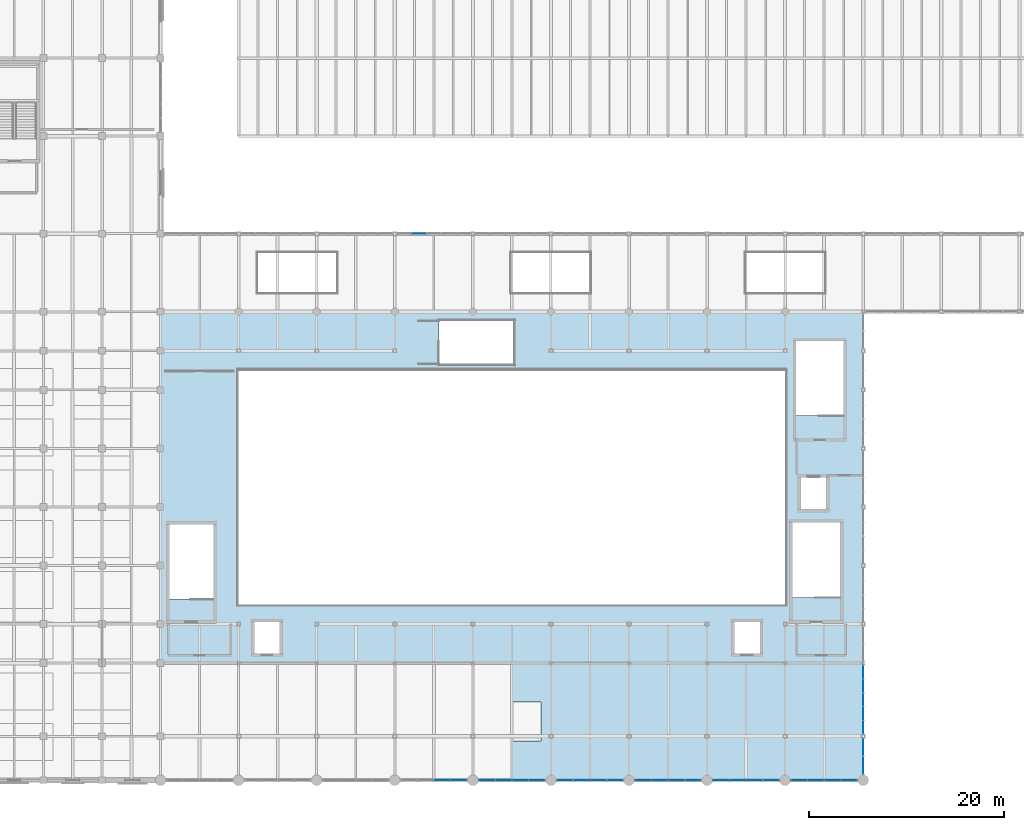
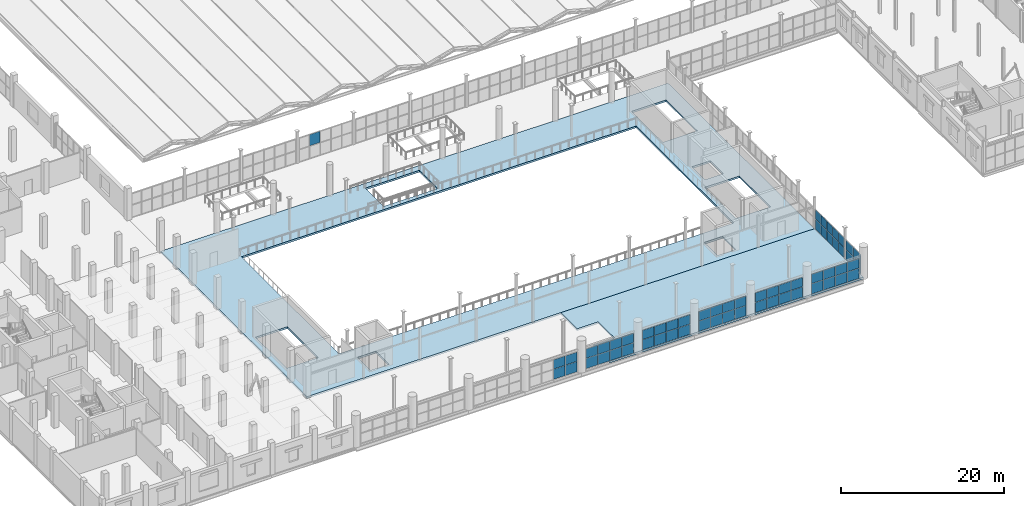
# One storey, part 83 of 114: 59 plates, 2 slabs, 9 elements without a shape of their own.
"""IFC4 building model written with IfcOpenShell, lengths in metres."""

from ifc_helpers import new_model, si_unit, direction, frame, origin, origin_2d, place, context, subcontext, project, spatial, polyline, rectangle, outline, extrude, material, layer, layer_set, type_object, element, aggregate, save


model = new_model("IFC4")

# Units and contexts
model_context = context("Model", 3, precision=1e-05, world=origin(), true_north=direction((0.0, 1.0)))
body_context = subcontext(model_context, "Body", "Model", "MODEL_VIEW")
ifc_project = project(units=[si_unit("LENGTHUNIT", "METRE"), si_unit("AREAUNIT", "SQUARE_METRE"), si_unit("VOLUMEUNIT", "CUBIC_METRE"), si_unit("PLANEANGLEUNIT", "RADIAN"), si_unit("MASSUNIT", "GRAM", prefix="KILO")], contexts=[model_context])

# Site, building, storey
site_placement = place(None, origin())
site = spatial("IfcSite", under=ifc_project, at=site_placement, CompositionType="ELEMENT")
building_placement = place(site_placement, origin())
building = spatial("IfcBuilding", under=site, at=building_placement, Name="Verrall Gate Interchange", CompositionType="ELEMENT")
storey_placement = place(building_placement, frame((0.0, 0.0, 6.60009765625)))
storey = spatial("IfcBuildingStorey", under=building, at=storey_placement, Name="L02", CompositionType="ELEMENT", Elevation=6.60009765625)

# Curtain wall, plates
ifc_material_1 = material(Name="Thermally Broken Anodized Aluminium Curtain Wall Framing", Category="aluminium")
curtain_wall_type_1 = type_object("IfcCurtainWallType", Name="CW-14 Unitized Curtain Wall 6836x3070", PredefinedType="NOTDEFINED", material=ifc_material_1)
curtain_wall_1_placement = place(storey_placement, origin())
curtain_wall_1 = element("IfcCurtainWall", 1, at=curtain_wall_1_placement, inside=storey, type_object=curtain_wall_type_1, Name="L02 Unitized Curtain Wall CW-L02-056", PredefinedType="NOTDEFINED")
ifc_material_2 = material(Name="Triple-Glazed Low-E Argon Insulated Curtain Panel (U=1.45)", Category="glass")
ifc_layer_1 = layer(ifc_material_2, 0.030029296875)
ifc_layer_set_1 = layer_set([ifc_layer_1], Name="Triple-Glazed Low-E Argon Insulated Curtain Panel (U=1.45)")
plate_type_1 = type_object("IfcPlateType", Name="CP-01 Curtain Glazing Panel 30", PredefinedType="CURTAIN_PANEL", material=ifc_layer_set_1)
plate_1_placement = place(storey_placement, frame((69.45263671875, 0.0, 0.0546875), z_axis=(0.0, 0.0, 1.0), x_axis=(1.0, 0.0, 0.0)))
plate_1 = element("IfcPlate", 2, at=plate_1_placement, type_object=plate_type_1, Name="CW-L02-056 Glazing Panel 1.1", PredefinedType="CURTAIN_PANEL", context=body_context, shape_type="SweptSolid", body=[
    extrude(rectangle(XDim=1.63232421875, YDim=0.030029296875, at=origin_2d()), origin(), (0.0, 0.0, 1.0), 1.519775390625),
])
plate_2_placement = place(storey_placement, frame((69.45263671875, 0.0, 1.618408203125), z_axis=(0.0, 0.0, 1.0), x_axis=(1.0, 0.0, 0.0)))
plate_2 = element("IfcPlate", 3, at=plate_2_placement, type_object=plate_type_1, Name="CW-L02-056 Glazing Panel 1.2", PredefinedType="CURTAIN_PANEL", context=body_context, shape_type="SweptSolid", body=[
    extrude(rectangle(XDim=1.63232421875, YDim=0.030029296875, at=origin_2d()), origin(), (0.0, 0.0, 1.0), 1.39697265625),
])
plate_3_placement = place(storey_placement, frame((71.1455078125, 0.0, 0.0546875), z_axis=(0.0, 0.0, 1.0), x_axis=(1.0, 0.0, 0.0)))
plate_3 = element("IfcPlate", 4, at=plate_3_placement, type_object=plate_type_1, Name="CW-L02-056 Glazing Panel 2.1", PredefinedType="CURTAIN_PANEL", context=body_context, shape_type="SweptSolid", body=[
    extrude(rectangle(XDim=1.664794921875, YDim=0.030029296875, at=origin_2d()), origin(), (0.0, 0.0, 1.0), 1.519775390625),
])
plate_4_placement = place(storey_placement, frame((71.1455078125, 0.0, 1.618408203125), z_axis=(0.0, 0.0, 1.0), x_axis=(1.0, 0.0, 0.0)))
plate_4 = element("IfcPlate", 5, at=plate_4_placement, type_object=plate_type_1, Name="CW-L02-056 Glazing Panel 2.2", PredefinedType="CURTAIN_PANEL", context=body_context, shape_type="SweptSolid", body=[
    extrude(rectangle(XDim=1.664794921875, YDim=0.030029296875, at=origin_2d()), origin(), (0.0, 0.0, 1.0), 1.39697265625),
])
plate_5_placement = place(storey_placement, frame((72.8544921875, 0.0, 0.0546875), z_axis=(0.0, 0.0, 1.0), x_axis=(1.0, 0.0, 0.0)))
plate_5 = element("IfcPlate", 6, at=plate_5_placement, type_object=plate_type_1, Name="CW-L02-056 Glazing Panel 3.1", PredefinedType="CURTAIN_PANEL", context=body_context, shape_type="SweptSolid", body=[
    extrude(rectangle(XDim=1.664794921875, YDim=0.030029296875, at=origin_2d()), origin(), (0.0, 0.0, 1.0), 1.519775390625),
])
plate_6_placement = place(storey_placement, frame((72.8544921875, 0.0, 1.618408203125), z_axis=(0.0, 0.0, 1.0), x_axis=(1.0, 0.0, 0.0)))
plate_6 = element("IfcPlate", 7, at=plate_6_placement, type_object=plate_type_1, Name="CW-L02-056 Glazing Panel 3.2", PredefinedType="CURTAIN_PANEL", context=body_context, shape_type="SweptSolid", body=[
    extrude(rectangle(XDim=1.664794921875, YDim=0.030029296875, at=origin_2d()), origin(), (0.0, 0.0, 1.0), 1.39697265625),
])
plate_7_placement = place(storey_placement, frame((74.547119140625, 0.0, 0.0546875), z_axis=(0.0, 0.0, 1.0), x_axis=(1.0, 0.0, 0.0)))
plate_7 = element("IfcPlate", 8, at=plate_7_placement, type_object=plate_type_1, Name="CW-L02-056 Glazing Panel 4.1", PredefinedType="CURTAIN_PANEL", context=body_context, shape_type="SweptSolid", body=[
    extrude(rectangle(XDim=1.63232421875, YDim=0.030029296875, at=origin_2d()), origin(), (0.0, 0.0, 1.0), 1.519775390625),
])
plate_8_placement = place(storey_placement, frame((74.547119140625, 0.0, 1.618408203125), z_axis=(0.0, 0.0, 1.0), x_axis=(1.0, 0.0, 0.0)))
plate_8 = element("IfcPlate", 9, at=plate_8_placement, type_object=plate_type_1, Name="CW-L02-056 Glazing Panel 4.2", PredefinedType="CURTAIN_PANEL", context=body_context, shape_type="SweptSolid", body=[
    extrude(rectangle(XDim=1.63232421875, YDim=0.030029296875, at=origin_2d()), origin(), (0.0, 0.0, 1.0), 1.39697265625),
])
aggregate(curtain_wall_1, [plate_1, plate_2, plate_3, plate_4, plate_5, plate_6, plate_7, plate_8])

curtain_wall_2_placement = place(storey_placement, origin())
curtain_wall_2 = element("IfcCurtainWall", 10, at=curtain_wall_2_placement, inside=storey, type_object=curtain_wall_type_1, Name="L02 Unitized Curtain Wall CW-L02-057", PredefinedType="NOTDEFINED")
plate_9_placement = place(storey_placement, frame((77.455078125, 0.0, 0.06298828125), z_axis=(0.0, 0.0, 1.0), x_axis=(1.0, 0.0, 0.0)))
plate_9 = element("IfcPlate", 11, at=plate_9_placement, type_object=plate_type_1, Name="CW-L02-057 Glazing Panel 1.1", PredefinedType="CURTAIN_PANEL", context=body_context, shape_type="SweptSolid", body=[
    extrude(rectangle(XDim=1.62060546875, YDim=0.030029296875, at=origin_2d()), origin(), (0.0, 0.0, 1.0), 1.5078125),
])
plate_10_placement = place(storey_placement, frame((77.455078125, 0.0, 1.6220703125), z_axis=(0.0, 0.0, 1.0), x_axis=(1.0, 0.0, 0.0)))
plate_10 = element("IfcPlate", 12, at=plate_10_placement, type_object=plate_type_1, Name="CW-L02-057 Glazing Panel 1.2", PredefinedType="CURTAIN_PANEL", context=body_context, shape_type="SweptSolid", body=[
    extrude(rectangle(XDim=1.62060546875, YDim=0.030029296875, at=origin_2d()), origin(), (0.0, 0.0, 1.0), 1.385009765625),
])
plate_11_placement = place(storey_placement, frame((79.1455078125, 0.0, 0.06298828125), z_axis=(0.0, 0.0, 1.0), x_axis=(1.0, 0.0, 0.0)))
plate_11 = element("IfcPlate", 13, at=plate_11_placement, type_object=plate_type_1, Name="CW-L02-057 Glazing Panel 2.1", PredefinedType="CURTAIN_PANEL", context=body_context, shape_type="SweptSolid", body=[
    extrude(rectangle(XDim=1.657958984375, YDim=0.030029296875, at=origin_2d()), origin(), (0.0, 0.0, 1.0), 1.5078125),
])
plate_12_placement = place(storey_placement, frame((79.1455078125, 0.0, 1.6220703125), z_axis=(0.0, 0.0, 1.0), x_axis=(1.0, 0.0, 0.0)))
plate_12 = element("IfcPlate", 14, at=plate_12_placement, type_object=plate_type_1, Name="CW-L02-057 Glazing Panel 2.2", PredefinedType="CURTAIN_PANEL", context=body_context, shape_type="SweptSolid", body=[
    extrude(rectangle(XDim=1.657958984375, YDim=0.030029296875, at=origin_2d()), origin(), (0.0, 0.0, 1.0), 1.385009765625),
])
plate_13_placement = place(storey_placement, frame((80.8544921875, 0.0, 0.06298828125), z_axis=(0.0, 0.0, 1.0), x_axis=(1.0, 0.0, 0.0)))
plate_13 = element("IfcPlate", 15, at=plate_13_placement, type_object=plate_type_1, Name="CW-L02-057 Glazing Panel 3.1", PredefinedType="CURTAIN_PANEL", context=body_context, shape_type="SweptSolid", body=[
    extrude(rectangle(XDim=1.657958984375, YDim=0.030029296875, at=origin_2d()), origin(), (0.0, 0.0, 1.0), 1.5078125),
])
plate_14_placement = place(storey_placement, frame((80.8544921875, 0.0, 1.6220703125), z_axis=(0.0, 0.0, 1.0), x_axis=(1.0, 0.0, 0.0)))
plate_14 = element("IfcPlate", 16, at=plate_14_placement, type_object=plate_type_1, Name="CW-L02-057 Glazing Panel 3.2", PredefinedType="CURTAIN_PANEL", context=body_context, shape_type="SweptSolid", body=[
    extrude(rectangle(XDim=1.657958984375, YDim=0.030029296875, at=origin_2d()), origin(), (0.0, 0.0, 1.0), 1.385009765625),
])
plate_15_placement = place(storey_placement, frame((82.544677734375, 0.0, 0.06298828125), z_axis=(0.0, 0.0, 1.0), x_axis=(1.0, 0.0, 0.0)))
plate_15 = element("IfcPlate", 17, at=plate_15_placement, type_object=plate_type_1, Name="CW-L02-057 Glazing Panel 4.1", PredefinedType="CURTAIN_PANEL", context=body_context, shape_type="SweptSolid", body=[
    extrude(rectangle(XDim=1.62060546875, YDim=0.030029296875, at=origin_2d()), origin(), (0.0, 0.0, 1.0), 1.5078125),
])
plate_16_placement = place(storey_placement, frame((82.544677734375, 0.0, 1.6220703125), z_axis=(0.0, 0.0, 1.0), x_axis=(1.0, 0.0, 0.0)))
plate_16 = element("IfcPlate", 18, at=plate_16_placement, type_object=plate_type_1, Name="CW-L02-057 Glazing Panel 4.2", PredefinedType="CURTAIN_PANEL", context=body_context, shape_type="SweptSolid", body=[
    extrude(rectangle(XDim=1.62060546875, YDim=0.030029296875, at=origin_2d()), origin(), (0.0, 0.0, 1.0), 1.385009765625),
])
aggregate(curtain_wall_2, [plate_9, plate_10, plate_11, plate_12, plate_13, plate_14, plate_15, plate_16])

curtain_wall_3_placement = place(storey_placement, origin())
curtain_wall_3 = element("IfcCurtainWall", 19, at=curtain_wall_3_placement, inside=storey, type_object=curtain_wall_type_1, Name="L02 Unitized Curtain Wall CW-L02-060", PredefinedType="NOTDEFINED")
plate_17_placement = place(storey_placement, frame((101.45263671875, 0.0, 0.0546875), z_axis=(0.0, 0.0, 1.0), x_axis=(1.0, 0.0, 0.0)))
plate_17 = element("IfcPlate", 20, at=plate_17_placement, type_object=plate_type_1, Name="CW-L02-060 Glazing Panel 1.1", PredefinedType="CURTAIN_PANEL", context=body_context, shape_type="SweptSolid", body=[
    extrude(rectangle(XDim=1.63232421875, YDim=0.030029296875, at=origin_2d()), origin(), (0.0, 0.0, 1.0), 1.519775390625),
])
plate_18_placement = place(storey_placement, frame((101.45263671875, 0.0, 1.618408203125), z_axis=(0.0, 0.0, 1.0), x_axis=(1.0, 0.0, 0.0)))
plate_18 = element("IfcPlate", 21, at=plate_18_placement, type_object=plate_type_1, Name="CW-L02-060 Glazing Panel 1.2", PredefinedType="CURTAIN_PANEL", context=body_context, shape_type="SweptSolid", body=[
    extrude(rectangle(XDim=1.63232421875, YDim=0.030029296875, at=origin_2d()), origin(), (0.0, 0.0, 1.0), 1.39697265625),
])
plate_19_placement = place(storey_placement, frame((103.1455078125, 0.0, 0.0546875), z_axis=(0.0, 0.0, 1.0), x_axis=(1.0, 0.0, 0.0)))
plate_19 = element("IfcPlate", 22, at=plate_19_placement, type_object=plate_type_1, Name="CW-L02-060 Glazing Panel 2.1", PredefinedType="CURTAIN_PANEL", context=body_context, shape_type="SweptSolid", body=[
    extrude(rectangle(XDim=1.664794921875, YDim=0.030029296875, at=origin_2d()), origin(), (0.0, 0.0, 1.0), 1.519775390625),
])
plate_20_placement = place(storey_placement, frame((103.1455078125, 0.0, 1.618408203125), z_axis=(0.0, 0.0, 1.0), x_axis=(1.0, 0.0, 0.0)))
plate_20 = element("IfcPlate", 23, at=plate_20_placement, type_object=plate_type_1, Name="CW-L02-060 Glazing Panel 2.2", PredefinedType="CURTAIN_PANEL", context=body_context, shape_type="SweptSolid", body=[
    extrude(rectangle(XDim=1.664794921875, YDim=0.030029296875, at=origin_2d()), origin(), (0.0, 0.0, 1.0), 1.39697265625),
])
plate_21_placement = place(storey_placement, frame((104.8544921875, 0.0, 0.0546875), z_axis=(0.0, 0.0, 1.0), x_axis=(1.0, 0.0, 0.0)))
plate_21 = element("IfcPlate", 24, at=plate_21_placement, type_object=plate_type_1, Name="CW-L02-060 Glazing Panel 3.1", PredefinedType="CURTAIN_PANEL", context=body_context, shape_type="SweptSolid", body=[
    extrude(rectangle(XDim=1.664794921875, YDim=0.030029296875, at=origin_2d()), origin(), (0.0, 0.0, 1.0), 1.519775390625),
])
plate_22_placement = place(storey_placement, frame((104.8544921875, 0.0, 1.618408203125), z_axis=(0.0, 0.0, 1.0), x_axis=(1.0, 0.0, 0.0)))
plate_22 = element("IfcPlate", 25, at=plate_22_placement, type_object=plate_type_1, Name="CW-L02-060 Glazing Panel 3.2", PredefinedType="CURTAIN_PANEL", context=body_context, shape_type="SweptSolid", body=[
    extrude(rectangle(XDim=1.664794921875, YDim=0.030029296875, at=origin_2d()), origin(), (0.0, 0.0, 1.0), 1.39697265625),
])
plate_23_placement = place(storey_placement, frame((106.547119140625, 0.0, 0.0546875), z_axis=(0.0, 0.0, 1.0), x_axis=(1.0, 0.0, 0.0)))
plate_23 = element("IfcPlate", 26, at=plate_23_placement, type_object=plate_type_1, Name="CW-L02-060 Glazing Panel 4.1", PredefinedType="CURTAIN_PANEL", context=body_context, shape_type="SweptSolid", body=[
    extrude(rectangle(XDim=1.63232421875, YDim=0.030029296875, at=origin_2d()), origin(), (0.0, 0.0, 1.0), 1.519775390625),
])
plate_24_placement = place(storey_placement, frame((106.547119140625, 0.0, 1.618408203125), z_axis=(0.0, 0.0, 1.0), x_axis=(1.0, 0.0, 0.0)))
plate_24 = element("IfcPlate", 27, at=plate_24_placement, type_object=plate_type_1, Name="CW-L02-060 Glazing Panel 4.2", PredefinedType="CURTAIN_PANEL", context=body_context, shape_type="SweptSolid", body=[
    extrude(rectangle(XDim=1.63232421875, YDim=0.030029296875, at=origin_2d()), origin(), (0.0, 0.0, 1.0), 1.39697265625),
])
aggregate(curtain_wall_3, [plate_17, plate_18, plate_19, plate_20, plate_21, plate_22, plate_23, plate_24])

ifc_material_3 = material(Name="Thermally Broken Anodized Aluminium Curtain Wall Framing", Category="aluminium")
curtain_wall_type_2 = type_object("IfcCurtainWallType", Name="CW-15 Unitized Curtain Wall 3734x3070", PredefinedType="NOTDEFINED", material=ifc_material_3)
curtain_wall_4_placement = place(storey_placement, origin())
curtain_wall_4 = element("IfcCurtainWall", 28, at=curtain_wall_4_placement, inside=storey, type_object=curtain_wall_type_2, Name="L02 Unitized Curtain Wall CW-L02-061", PredefinedType="NOTDEFINED")
plate_25_placement = place(storey_placement, frame((108.0, 1.5341796875, 0.06298828125), z_axis=(0.0, 0.0, 1.0), x_axis=(0.0, 1.0, 0.0)))
plate_25 = element("IfcPlate", 29, at=plate_25_placement, type_object=plate_type_1, Name="CW-L02-061 Glazing Panel 1.1", PredefinedType="CURTAIN_PANEL", context=body_context, shape_type="SweptSolid", body=[
    extrude(rectangle(XDim=1.7783203125, YDim=0.030029296875, at=origin_2d()), origin(), (0.0, 0.0, 1.0), 1.5078125),
])
plate_26_placement = place(storey_placement, frame((108.0, 1.5341796875, 1.6220703125), z_axis=(0.0, 0.0, 1.0), x_axis=(0.0, 1.0, 0.0)))
plate_26 = element("IfcPlate", 30, at=plate_26_placement, type_object=plate_type_1, Name="CW-L02-061 Glazing Panel 1.2", PredefinedType="CURTAIN_PANEL", context=body_context, shape_type="SweptSolid", body=[
    extrude(rectangle(XDim=1.7783203125, YDim=0.030029296875, at=origin_2d()), origin(), (0.0, 0.0, 1.0), 1.385009765625),
])
plate_27_placement = place(storey_placement, frame((108.0, 3.36328125, 0.06298828125), z_axis=(0.0, 0.0, 1.0), x_axis=(0.0, 1.0, 0.0)))
plate_27 = element("IfcPlate", 31, at=plate_27_placement, type_object=plate_type_1, Name="CW-L02-061 Glazing Panel 2.1", PredefinedType="CURTAIN_PANEL", context=body_context, shape_type="SweptSolid", body=[
    extrude(rectangle(XDim=1.7783203125, YDim=0.030029296875, at=origin_2d()), origin(), (0.0, 0.0, 1.0), 1.5078125),
])
plate_28_placement = place(storey_placement, frame((108.0, 3.36328125, 1.6220703125), z_axis=(0.0, 0.0, 1.0), x_axis=(0.0, 1.0, 0.0)))
plate_28 = element("IfcPlate", 32, at=plate_28_placement, type_object=plate_type_1, Name="CW-L02-061 Glazing Panel 2.2", PredefinedType="CURTAIN_PANEL", context=body_context, shape_type="SweptSolid", body=[
    extrude(rectangle(XDim=1.7783203125, YDim=0.030029296875, at=origin_2d()), origin(), (0.0, 0.0, 1.0), 1.385009765625),
])
aggregate(curtain_wall_4, [plate_25, plate_26, plate_27, plate_28])

# Curtain wall, plate
ifc_material_4 = material(Name="Thermally Broken Anodized Aluminium Curtain Wall Framing", Category="aluminium")
curtain_wall_type_3 = type_object("IfcCurtainWallType", Name="CW-21 Unitized Curtain Wall 7631x3680", PredefinedType="NOTDEFINED", material=ifc_material_4)
curtain_wall_5_placement = place(storey_placement, origin())
curtain_wall_5 = element("IfcCurtainWall", 33, at=curtain_wall_5_placement, inside=storey, type_object=curtain_wall_type_3, Name="L02 Unitized Curtain Wall CW-L02-081", PredefinedType="NOTDEFINED")
plate_29_placement = place(storey_placement, frame((62.473876953125, 56.0, 1.93896484375), z_axis=(0.0, 0.0, 1.0), x_axis=(-1.0, 0.0, 0.0)))
plate_29 = element("IfcPlate", 34, at=plate_29_placement, type_object=plate_type_1, Name="CW-L02-081 Glazing Panel 4.2", PredefinedType="CURTAIN_PANEL", context=body_context, shape_type="SweptSolid", body=[
    extrude(rectangle(XDim=1.47509765625, YDim=0.030029296875, at=origin_2d()), origin(), (0.0, 0.0, 1.0), 1.677978515625),
])
aggregate(curtain_wall_5, [plate_29])

# Curtain wall, plates
curtain_wall_6_placement = place(storey_placement, origin())
curtain_wall_6 = element("IfcCurtainWall", 35, at=curtain_wall_6_placement, inside=storey, type_object=curtain_wall_type_1, Name="L02 Unitized Curtain Wall CW-L02-055", PredefinedType="NOTDEFINED")
ifc_material_5 = material(Name="Triple-Glazed Low-E Argon Insulated Curtain Panel (U=1.45)", Category="glass")
ifc_layer_2 = layer(ifc_material_5, 0.0400390625)
ifc_layer_set_2 = layer_set([ifc_layer_2], Name="Triple-Glazed Low-E Argon Insulated Curtain Panel (U=1.45)")
plate_type_2 = type_object("IfcPlateType", Name="CP-02 Curtain Glazing Panel 40", PredefinedType="CURTAIN_PANEL", material=ifc_layer_set_2)
plate_30_placement = place(storey_placement, frame((64.8544921875, 0.0, 0.06298828125), z_axis=(0.0, 0.0, 1.0), x_axis=(1.0, 0.0, 0.0)))
plate_30 = element("IfcPlate", 36, at=plate_30_placement, type_object=plate_type_2, Name="CW-L02-055 Glazing Panel 3.1", PredefinedType="CURTAIN_PANEL", context=body_context, shape_type="SweptSolid", body=[
    extrude(rectangle(XDim=1.657958984375, YDim=0.0400390625, at=origin_2d()), origin(), (0.0, 0.0, 1.0), 1.5078125),
])
plate_31_placement = place(storey_placement, frame((64.8544921875, 0.0, 1.6220703125), z_axis=(0.0, 0.0, 1.0), x_axis=(1.0, 0.0, 0.0)))
plate_31 = element("IfcPlate", 37, at=plate_31_placement, type_object=plate_type_2, Name="CW-L02-055 Glazing Panel 3.2", PredefinedType="CURTAIN_PANEL", context=body_context, shape_type="SweptSolid", body=[
    extrude(rectangle(XDim=1.657958984375, YDim=0.0400390625, at=origin_2d()), origin(), (0.0, 0.0, 1.0), 1.385009765625),
])
plate_32_placement = place(storey_placement, frame((66.544677734375, 0.0, 0.06298828125), z_axis=(0.0, 0.0, 1.0), x_axis=(1.0, 0.0, 0.0)))
plate_32 = element("IfcPlate", 38, at=plate_32_placement, type_object=plate_type_2, Name="CW-L02-055 Glazing Panel 4.1", PredefinedType="CURTAIN_PANEL", context=body_context, shape_type="SweptSolid", body=[
    extrude(rectangle(XDim=1.62060546875, YDim=0.0400390625, at=origin_2d()), origin(), (0.0, 0.0, 1.0), 1.5078125),
])
plate_33_placement = place(storey_placement, frame((66.544677734375, 0.0, 1.6220703125), z_axis=(0.0, 0.0, 1.0), x_axis=(1.0, 0.0, 0.0)))
plate_33 = element("IfcPlate", 39, at=plate_33_placement, type_object=plate_type_2, Name="CW-L02-055 Glazing Panel 4.2", PredefinedType="CURTAIN_PANEL", context=body_context, shape_type="SweptSolid", body=[
    extrude(rectangle(XDim=1.62060546875, YDim=0.0400390625, at=origin_2d()), origin(), (0.0, 0.0, 1.0), 1.385009765625),
])
aggregate(curtain_wall_6, [plate_30, plate_31, plate_32, plate_33])

curtain_wall_7_placement = place(storey_placement, origin())
curtain_wall_7 = element("IfcCurtainWall", 40, at=curtain_wall_7_placement, inside=storey, type_object=curtain_wall_type_1, Name="L02 Unitized Curtain Wall CW-L02-058", PredefinedType="NOTDEFINED")
plate_34_placement = place(storey_placement, frame((85.45263671875, 0.0, 0.0546875), z_axis=(0.0, 0.0, 1.0), x_axis=(1.0, 0.0, 0.0)))
plate_34 = element("IfcPlate", 41, at=plate_34_placement, type_object=plate_type_2, Name="CW-L02-058 Glazing Panel 1.1", PredefinedType="CURTAIN_PANEL", context=body_context, shape_type="SweptSolid", body=[
    extrude(rectangle(XDim=1.63232421875, YDim=0.0400390625, at=origin_2d()), origin(), (0.0, 0.0, 1.0), 1.519775390625),
])
plate_35_placement = place(storey_placement, frame((85.45263671875, 0.0, 1.618408203125), z_axis=(0.0, 0.0, 1.0), x_axis=(1.0, 0.0, 0.0)))
plate_35 = element("IfcPlate", 42, at=plate_35_placement, type_object=plate_type_2, Name="CW-L02-058 Glazing Panel 1.2", PredefinedType="CURTAIN_PANEL", context=body_context, shape_type="SweptSolid", body=[
    extrude(rectangle(XDim=1.63232421875, YDim=0.0400390625, at=origin_2d()), origin(), (0.0, 0.0, 1.0), 1.39697265625),
])
plate_36_placement = place(storey_placement, frame((87.1455078125, 0.0, 0.0546875), z_axis=(0.0, 0.0, 1.0), x_axis=(1.0, 0.0, 0.0)))
plate_36 = element("IfcPlate", 43, at=plate_36_placement, type_object=plate_type_2, Name="CW-L02-058 Glazing Panel 2.1", PredefinedType="CURTAIN_PANEL", context=body_context, shape_type="SweptSolid", body=[
    extrude(rectangle(XDim=1.664794921875, YDim=0.0400390625, at=origin_2d()), origin(), (0.0, 0.0, 1.0), 1.519775390625),
])
plate_37_placement = place(storey_placement, frame((87.1455078125, 0.0, 1.618408203125), z_axis=(0.0, 0.0, 1.0), x_axis=(1.0, 0.0, 0.0)))
plate_37 = element("IfcPlate", 44, at=plate_37_placement, type_object=plate_type_2, Name="CW-L02-058 Glazing Panel 2.2", PredefinedType="CURTAIN_PANEL", context=body_context, shape_type="SweptSolid", body=[
    extrude(rectangle(XDim=1.664794921875, YDim=0.0400390625, at=origin_2d()), origin(), (0.0, 0.0, 1.0), 1.39697265625),
])
plate_38_placement = place(storey_placement, frame((88.8544921875, 0.0, 0.0546875), z_axis=(0.0, 0.0, 1.0), x_axis=(1.0, 0.0, 0.0)))
plate_38 = element("IfcPlate", 45, at=plate_38_placement, type_object=plate_type_2, Name="CW-L02-058 Glazing Panel 3.1", PredefinedType="CURTAIN_PANEL", context=body_context, shape_type="SweptSolid", body=[
    extrude(rectangle(XDim=1.664794921875, YDim=0.0400390625, at=origin_2d()), origin(), (0.0, 0.0, 1.0), 1.519775390625),
])
plate_39_placement = place(storey_placement, frame((88.8544921875, 0.0, 1.618408203125), z_axis=(0.0, 0.0, 1.0), x_axis=(1.0, 0.0, 0.0)))
plate_39 = element("IfcPlate", 46, at=plate_39_placement, type_object=plate_type_2, Name="CW-L02-058 Glazing Panel 3.2", PredefinedType="CURTAIN_PANEL", context=body_context, shape_type="SweptSolid", body=[
    extrude(rectangle(XDim=1.664794921875, YDim=0.0400390625, at=origin_2d()), origin(), (0.0, 0.0, 1.0), 1.39697265625),
])
plate_40_placement = place(storey_placement, frame((90.547119140625, 0.0, 0.0546875), z_axis=(0.0, 0.0, 1.0), x_axis=(1.0, 0.0, 0.0)))
plate_40 = element("IfcPlate", 47, at=plate_40_placement, type_object=plate_type_2, Name="CW-L02-058 Glazing Panel 4.1", PredefinedType="CURTAIN_PANEL", context=body_context, shape_type="SweptSolid", body=[
    extrude(rectangle(XDim=1.63232421875, YDim=0.0400390625, at=origin_2d()), origin(), (0.0, 0.0, 1.0), 1.519775390625),
])
plate_41_placement = place(storey_placement, frame((90.547119140625, 0.0, 1.618408203125), z_axis=(0.0, 0.0, 1.0), x_axis=(1.0, 0.0, 0.0)))
plate_41 = element("IfcPlate", 48, at=plate_41_placement, type_object=plate_type_2, Name="CW-L02-058 Glazing Panel 4.2", PredefinedType="CURTAIN_PANEL", context=body_context, shape_type="SweptSolid", body=[
    extrude(rectangle(XDim=1.63232421875, YDim=0.0400390625, at=origin_2d()), origin(), (0.0, 0.0, 1.0), 1.39697265625),
])
aggregate(curtain_wall_7, [plate_34, plate_35, plate_36, plate_37, plate_38, plate_39, plate_40, plate_41])

curtain_wall_8_placement = place(storey_placement, origin())
curtain_wall_8 = element("IfcCurtainWall", 49, at=curtain_wall_8_placement, inside=storey, type_object=curtain_wall_type_1, Name="L02 Unitized Curtain Wall CW-L02-059", PredefinedType="NOTDEFINED")
plate_42_placement = place(storey_placement, frame((93.455078125, 0.0, 0.06298828125), z_axis=(0.0, 0.0, 1.0), x_axis=(1.0, 0.0, 0.0)))
plate_42 = element("IfcPlate", 50, at=plate_42_placement, type_object=plate_type_2, Name="CW-L02-059 Glazing Panel 1.1", PredefinedType="CURTAIN_PANEL", context=body_context, shape_type="SweptSolid", body=[
    extrude(rectangle(XDim=1.62060546875, YDim=0.0400390625, at=origin_2d()), origin(), (0.0, 0.0, 1.0), 1.5078125),
])
plate_43_placement = place(storey_placement, frame((93.455078125, 0.0, 1.6220703125), z_axis=(0.0, 0.0, 1.0), x_axis=(1.0, 0.0, 0.0)))
plate_43 = element("IfcPlate", 51, at=plate_43_placement, type_object=plate_type_2, Name="CW-L02-059 Glazing Panel 1.2", PredefinedType="CURTAIN_PANEL", context=body_context, shape_type="SweptSolid", body=[
    extrude(rectangle(XDim=1.62060546875, YDim=0.0400390625, at=origin_2d()), origin(), (0.0, 0.0, 1.0), 1.385009765625),
])
plate_44_placement = place(storey_placement, frame((95.1455078125, 0.0, 0.06298828125), z_axis=(0.0, 0.0, 1.0), x_axis=(1.0, 0.0, 0.0)))
plate_44 = element("IfcPlate", 52, at=plate_44_placement, type_object=plate_type_2, Name="CW-L02-059 Glazing Panel 2.1", PredefinedType="CURTAIN_PANEL", context=body_context, shape_type="SweptSolid", body=[
    extrude(rectangle(XDim=1.657958984375, YDim=0.0400390625, at=origin_2d()), origin(), (0.0, 0.0, 1.0), 1.5078125),
])
plate_45_placement = place(storey_placement, frame((95.1455078125, 0.0, 1.6220703125), z_axis=(0.0, 0.0, 1.0), x_axis=(1.0, 0.0, 0.0)))
plate_45 = element("IfcPlate", 53, at=plate_45_placement, type_object=plate_type_2, Name="CW-L02-059 Glazing Panel 2.2", PredefinedType="CURTAIN_PANEL", context=body_context, shape_type="SweptSolid", body=[
    extrude(rectangle(XDim=1.657958984375, YDim=0.0400390625, at=origin_2d()), origin(), (0.0, 0.0, 1.0), 1.385009765625),
])
plate_46_placement = place(storey_placement, frame((96.8544921875, 0.0, 0.06298828125), z_axis=(0.0, 0.0, 1.0), x_axis=(1.0, 0.0, 0.0)))
plate_46 = element("IfcPlate", 54, at=plate_46_placement, type_object=plate_type_2, Name="CW-L02-059 Glazing Panel 3.1", PredefinedType="CURTAIN_PANEL", context=body_context, shape_type="SweptSolid", body=[
    extrude(rectangle(XDim=1.657958984375, YDim=0.0400390625, at=origin_2d()), origin(), (0.0, 0.0, 1.0), 1.5078125),
])
plate_47_placement = place(storey_placement, frame((96.8544921875, 0.0, 1.6220703125), z_axis=(0.0, 0.0, 1.0), x_axis=(1.0, 0.0, 0.0)))
plate_47 = element("IfcPlate", 55, at=plate_47_placement, type_object=plate_type_2, Name="CW-L02-059 Glazing Panel 3.2", PredefinedType="CURTAIN_PANEL", context=body_context, shape_type="SweptSolid", body=[
    extrude(rectangle(XDim=1.657958984375, YDim=0.0400390625, at=origin_2d()), origin(), (0.0, 0.0, 1.0), 1.385009765625),
])
plate_48_placement = place(storey_placement, frame((98.544677734375, 0.0, 0.06298828125), z_axis=(0.0, 0.0, 1.0), x_axis=(1.0, 0.0, 0.0)))
plate_48 = element("IfcPlate", 56, at=plate_48_placement, type_object=plate_type_2, Name="CW-L02-059 Glazing Panel 4.1", PredefinedType="CURTAIN_PANEL", context=body_context, shape_type="SweptSolid", body=[
    extrude(rectangle(XDim=1.62060546875, YDim=0.0400390625, at=origin_2d()), origin(), (0.0, 0.0, 1.0), 1.5078125),
])
plate_49_placement = place(storey_placement, frame((98.544677734375, 0.0, 1.6220703125), z_axis=(0.0, 0.0, 1.0), x_axis=(1.0, 0.0, 0.0)))
plate_49 = element("IfcPlate", 57, at=plate_49_placement, type_object=plate_type_2, Name="CW-L02-059 Glazing Panel 4.2", PredefinedType="CURTAIN_PANEL", context=body_context, shape_type="SweptSolid", body=[
    extrude(rectangle(XDim=1.62060546875, YDim=0.0400390625, at=origin_2d()), origin(), (0.0, 0.0, 1.0), 1.385009765625),
])
aggregate(curtain_wall_8, [plate_42, plate_43, plate_44, plate_45, plate_46, plate_47, plate_48, plate_49])

ifc_material_6 = material(Name="Thermally Broken Anodized Aluminium Curtain Wall Framing", Category="aluminium")
curtain_wall_type_4 = type_object("IfcCurtainWallType", Name="CW-16 Unitized Curtain Wall 7131x3070", PredefinedType="NOTDEFINED", material=ifc_material_6)
curtain_wall_9_placement = place(storey_placement, origin())
curtain_wall_9 = element("IfcCurtainWall", 58, at=curtain_wall_9_placement, inside=storey, type_object=curtain_wall_type_4, Name="L02 Unitized Curtain Wall CW-L02-062", PredefinedType="NOTDEFINED")
plate_50_placement = place(storey_placement, frame((108.0, 5.413818359375, 0.0546875), z_axis=(0.0, 0.0, 1.0), x_axis=(0.0, 1.0, 0.0)))
plate_50 = element("IfcPlate", 59, at=plate_50_placement, type_object=plate_type_2, Name="CW-L02-062 Glazing Panel 1.1", PredefinedType="CURTAIN_PANEL", context=body_context, shape_type="SweptSolid", body=[
    extrude(rectangle(XDim=1.349609375, YDim=0.0400390625, at=origin_2d()), origin(), (0.0, 0.0, 1.0), 1.519775390625),
])
plate_51_placement = place(storey_placement, frame((108.0, 5.413818359375, 1.618408203125), z_axis=(0.0, 0.0, 1.0), x_axis=(0.0, 1.0, 0.0)))
plate_51 = element("IfcPlate", 60, at=plate_51_placement, type_object=plate_type_2, Name="CW-L02-062 Glazing Panel 1.2", PredefinedType="CURTAIN_PANEL", context=body_context, shape_type="SweptSolid", body=[
    extrude(rectangle(XDim=1.349609375, YDim=0.0400390625, at=origin_2d()), origin(), (0.0, 0.0, 1.0), 1.39697265625),
])
plate_52_placement = place(storey_placement, frame((108.0, 6.82373046875, 0.0546875), z_axis=(0.0, 0.0, 1.0), x_axis=(0.0, 1.0, 0.0)))
plate_52 = element("IfcPlate", 61, at=plate_52_placement, type_object=plate_type_2, Name="CW-L02-062 Glazing Panel 2.1", PredefinedType="CURTAIN_PANEL", context=body_context, shape_type="SweptSolid", body=[
    extrude(rectangle(XDim=1.382080078125, YDim=0.0400390625, at=origin_2d()), origin(), (0.0, 0.0, 1.0), 1.519775390625),
])
plate_53_placement = place(storey_placement, frame((108.0, 6.82373046875, 1.618408203125), z_axis=(0.0, 0.0, 1.0), x_axis=(0.0, 1.0, 0.0)))
plate_53 = element("IfcPlate", 62, at=plate_53_placement, type_object=plate_type_2, Name="CW-L02-062 Glazing Panel 2.2", PredefinedType="CURTAIN_PANEL", context=body_context, shape_type="SweptSolid", body=[
    extrude(rectangle(XDim=1.382080078125, YDim=0.0400390625, at=origin_2d()), origin(), (0.0, 0.0, 1.0), 1.39697265625),
])
plate_54_placement = place(storey_placement, frame((108.0, 8.25, 0.0546875), z_axis=(0.0, 0.0, 1.0), x_axis=(0.0, 1.0, 0.0)))
plate_54 = element("IfcPlate", 63, at=plate_54_placement, type_object=plate_type_2, Name="CW-L02-062 Glazing Panel 3.1", PredefinedType="CURTAIN_PANEL", context=body_context, shape_type="SweptSolid", body=[
    extrude(rectangle(XDim=1.382080078125, YDim=0.0400390625, at=origin_2d()), origin(), (0.0, 0.0, 1.0), 1.519775390625),
])
plate_55_placement = place(storey_placement, frame((108.0, 8.25, 1.618408203125), z_axis=(0.0, 0.0, 1.0), x_axis=(0.0, 1.0, 0.0)))
plate_55 = element("IfcPlate", 64, at=plate_55_placement, type_object=plate_type_2, Name="CW-L02-062 Glazing Panel 3.2", PredefinedType="CURTAIN_PANEL", context=body_context, shape_type="SweptSolid", body=[
    extrude(rectangle(XDim=1.382080078125, YDim=0.0400390625, at=origin_2d()), origin(), (0.0, 0.0, 1.0), 1.39697265625),
])
plate_56_placement = place(storey_placement, frame((108.0, 9.67626953125, 0.0546875), z_axis=(0.0, 0.0, 1.0), x_axis=(0.0, 1.0, 0.0)))
plate_56 = element("IfcPlate", 65, at=plate_56_placement, type_object=plate_type_2, Name="CW-L02-062 Glazing Panel 4.1", PredefinedType="CURTAIN_PANEL", context=body_context, shape_type="SweptSolid", body=[
    extrude(rectangle(XDim=1.382080078125, YDim=0.0400390625, at=origin_2d()), origin(), (0.0, 0.0, 1.0), 1.519775390625),
])
plate_57_placement = place(storey_placement, frame((108.0, 9.67626953125, 1.618408203125), z_axis=(0.0, 0.0, 1.0), x_axis=(0.0, 1.0, 0.0)))
plate_57 = element("IfcPlate", 66, at=plate_57_placement, type_object=plate_type_2, Name="CW-L02-062 Glazing Panel 4.2", PredefinedType="CURTAIN_PANEL", context=body_context, shape_type="SweptSolid", body=[
    extrude(rectangle(XDim=1.382080078125, YDim=0.0400390625, at=origin_2d()), origin(), (0.0, 0.0, 1.0), 1.39697265625),
])
plate_58_placement = place(storey_placement, frame((108.0, 11.086181640625, 0.0546875), z_axis=(0.0, 0.0, 1.0), x_axis=(0.0, 1.0, 0.0)))
plate_58 = element("IfcPlate", 67, at=plate_58_placement, type_object=plate_type_2, Name="CW-L02-062 Glazing Panel 5.1", PredefinedType="CURTAIN_PANEL", context=body_context, shape_type="SweptSolid", body=[
    extrude(rectangle(XDim=1.349609375, YDim=0.0400390625, at=origin_2d()), origin(), (0.0, 0.0, 1.0), 1.519775390625),
])
plate_59_placement = place(storey_placement, frame((108.0, 11.086181640625, 1.618408203125), z_axis=(0.0, 0.0, 1.0), x_axis=(0.0, 1.0, 0.0)))
plate_59 = element("IfcPlate", 68, at=plate_59_placement, type_object=plate_type_2, Name="CW-L02-062 Glazing Panel 5.2", PredefinedType="CURTAIN_PANEL", context=body_context, shape_type="SweptSolid", body=[
    extrude(rectangle(XDim=1.349609375, YDim=0.0400390625, at=origin_2d()), origin(), (0.0, 0.0, 1.0), 1.39697265625),
])
aggregate(curtain_wall_9, [plate_50, plate_51, plate_52, plate_53, plate_54, plate_55, plate_56, plate_57, plate_58, plate_59])

# Slabs
ifc_material_7 = material(Name="Concrete CSA A23.1 40 MPa (Class N)", Category="concrete")
ifc_layer_3 = layer(ifc_material_7, 0.280029296875)
ifc_layer_set_3 = layer_set([ifc_layer_3], Name="Concrete CSA A23.1 40 MPa (Class N)")
slab_type = type_object("IfcSlabType", Name="FS-08 Floor Slab 280", PredefinedType="FLOOR", material=ifc_layer_set_3)
slab_1_placement = place(storey_placement, frame((0.0, 0.0, -0.280029296875)))
element("IfcSlab", 69, at=slab_1_placement, inside=storey, type_object=slab_type, Name="L02 Structural Slab SLB-L02-06", PredefinedType="FLOOR", context=body_context, shape_type="SweptSolid", body=[
    extrude(outline(polyline([(108.0, 0.0), (72.0, 0.0), (72.0, 4.0), (75.0, 4.0), (75.0, 8.0), (72.0, 8.0), (72.0, 12.0), (108.0, 12.0), (108.0, 0.0)])), origin(), (0.0, 0.0, 1.0), 0.280029296875),
])
slab_2_placement = place(storey_placement, frame((0.0, 0.0, -0.280029296875)))
element("IfcSlab", 70, at=slab_2_placement, inside=storey, type_object=slab_type, Name="L02 Structural Slab SLB-L02-07", PredefinedType="FLOOR", context=body_context, shape_type="SweptSolid", body=[
    extrude(outline(polyline([(36.0, 48.0), (108.0, 48.0), (108.0, 12.0), (72.0, 12.0), (36.0, 12.0), (36.0, 48.0)]), holes=[polyline([(101.10009765625, 45.0), (101.10009765625, 37.35009765625), (106.0, 37.35009765625), (106.0, 45.0), (101.10009765625, 45.0)]), polyline([(100.739990234375, 26.39990234375), (100.739990234375, 18.75), (105.639892578125, 18.75), (105.639892578125, 26.39990234375), (100.739990234375, 26.39990234375)]), polyline([(104.199951171875, 31.0), (101.60009765625, 31.0), (101.60009765625, 27.800048828125), (104.199951171875, 27.800048828125), (104.199951171875, 31.0)]), polyline([(44.0, 42.0), (44.0, 18.0), (100.0, 18.0), (100.0, 42.0), (44.0, 42.0)]), polyline([(94.800048828125, 16.199951171875), (94.800048828125, 13.0), (97.39990234375, 13.0), (97.39990234375, 16.199951171875), (94.800048828125, 16.199951171875)]), polyline([(72.199951171875, 47.10009765625), (64.550048828125, 47.10009765625), (64.550048828125, 42.60009765625), (72.199951171875, 42.60009765625), (72.199951171875, 47.10009765625)]), polyline([(45.60009765625, 16.199951171875), (45.60009765625, 13.0), (48.199951171875, 13.0), (48.199951171875, 16.199951171875), (45.60009765625, 16.199951171875)]), polyline([(41.39990234375, 26.199951171875), (36.89990234375, 26.199951171875), (36.89990234375, 18.550048828125), (41.39990234375, 18.550048828125), (41.39990234375, 26.199951171875)])]), origin(), (0.0, 0.0, 1.0), 0.280029296875),
])

save(model, "model.ifc")
